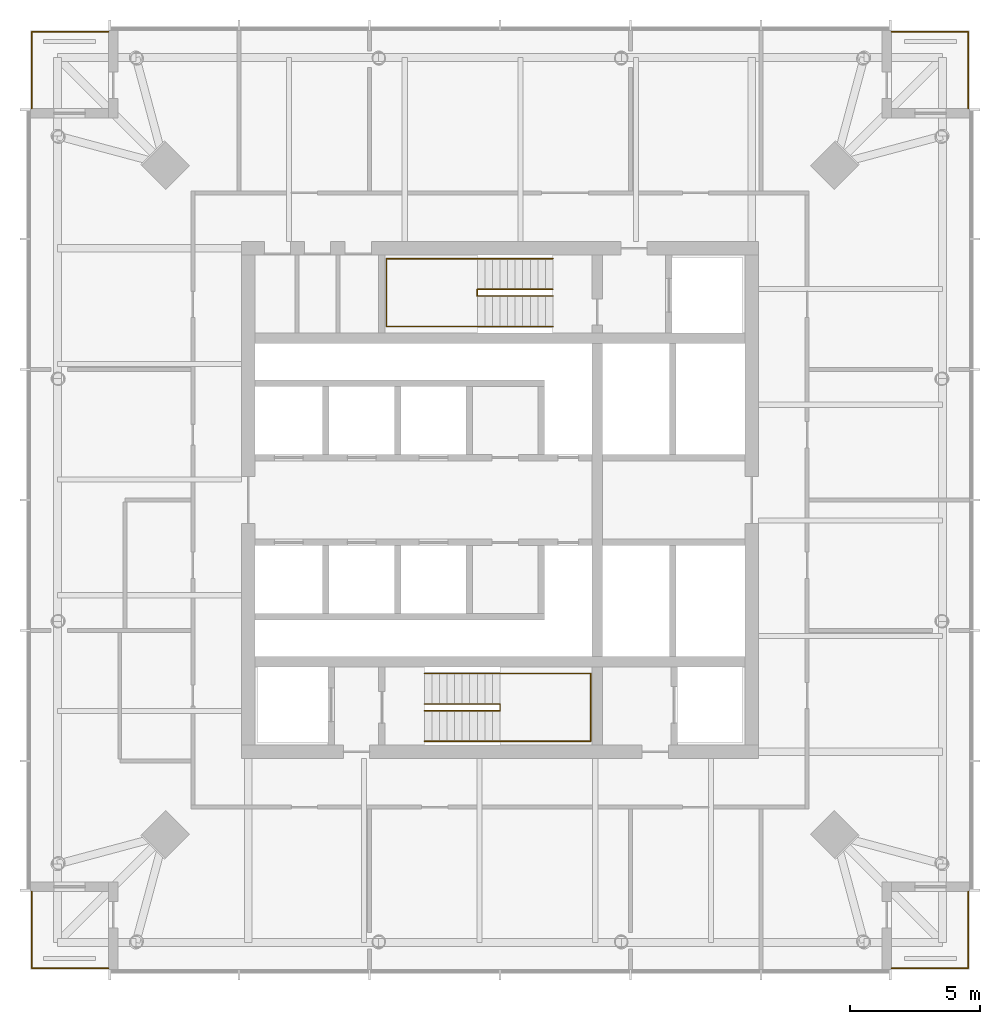
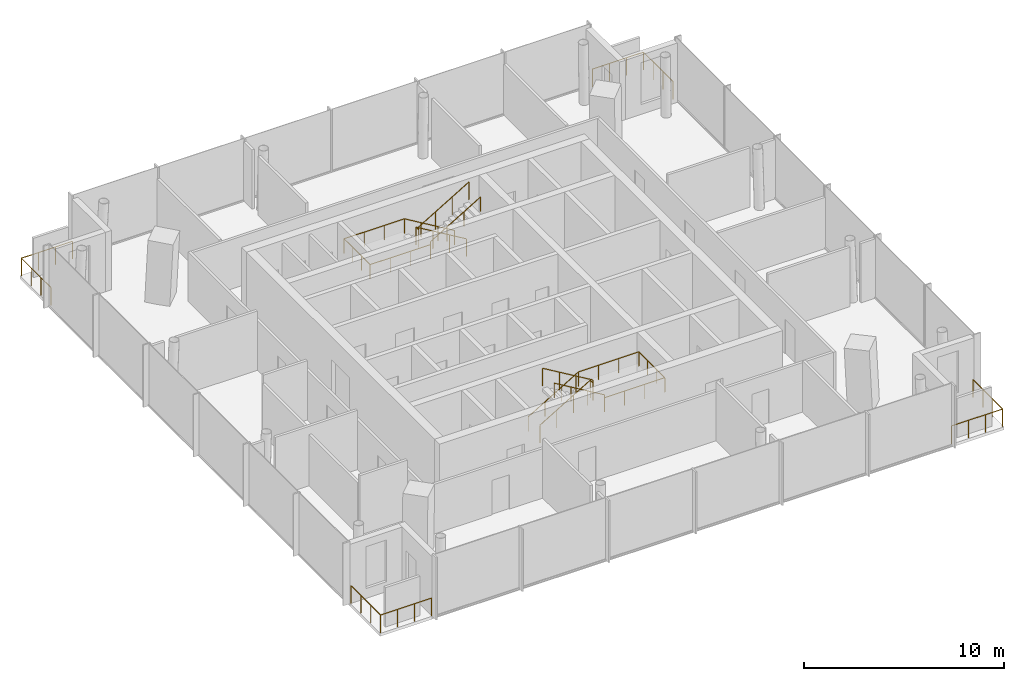
# One storey, part 7 of 7: 8 railings.
"""IFC4 building model written with IfcOpenShell, lengths in metres."""

from ifc_helpers import new_model, si_unit, direction, frame, origin, origin_2d, place, context, subcontext, project, spatial, circle, extrude, material, type_object, element, save


model = new_model("IFC4")

# Units and contexts
model_context = context("Model", 3, precision=1e-05, world=origin(), true_north=direction((0.0, 1.0)))
body_context = subcontext(model_context, "Body", "Model", "MODEL_VIEW")
ifc_project = project(units=[si_unit("LENGTHUNIT", "METRE"), si_unit("AREAUNIT", "SQUARE_METRE"), si_unit("VOLUMEUNIT", "CUBIC_METRE"), si_unit("PLANEANGLEUNIT", "RADIAN"), si_unit("MASSUNIT", "GRAM", prefix="KILO")], contexts=[model_context])

# Site, building, storey
site_placement = place(None, origin())
site = spatial("IfcSite", under=ifc_project, at=site_placement, CompositionType="ELEMENT")
building_placement = place(site_placement, origin())
building = spatial("IfcBuilding", under=site, at=building_placement, Name="Ostroluk Exchange", CompositionType="ELEMENT")
storey_placement = place(building_placement, frame((0.0, 0.0, 241.39990234375)))
storey = spatial("IfcBuildingStorey", under=building, at=storey_placement, Name="L62", CompositionType="ELEMENT", Elevation=241.39990234375)

# Railings
ifc_material_1 = material(Name="Stainless steel", Category="steel")
railing_type_1 = type_object("IfcRailingType", Name="Guard 1100 stainless steel", PredefinedType="GUARDRAIL", material=ifc_material_1)
railing_1_placement = place(storey_placement, frame((60.0, 28.050048828125, 0.0)))
element("IfcRailing", 1, at=railing_1_placement, inside=storey, type_object=railing_type_1, Name="Office tower SE balcony guard L62", PredefinedType="GUARDRAIL", context=body_context, shape_type="SweptSolid", body=[
    extrude(circle(Radius=0.02392578125, at=origin_2d()), frame((0.0, 0.0, 1.076171875), z_axis=(1.0, 0.0, 0.0), x_axis=(0.0, 1.0, 0.0)), (0.0, 0.0, 1.0), 2.949951171875),
    extrude(circle(Radius=0.02392578125, at=origin_2d()), frame((2.949951171875, 0.0, 1.076171875), z_axis=(0.0, 1.0, 0.0), x_axis=(-1.0, 0.0, 0.0)), (0.0, 0.0, 1.0), 2.949951171875),
    extrude(circle(Radius=0.02099609375, at=origin_2d()), origin(), (0.0, 0.0, 1.0), 1.052001953125),
    extrude(circle(Radius=0.02099609375, at=origin_2d()), frame((0.9833984375, 0.0, 0.0)), (0.0, 0.0, 1.0), 1.052001953125),
    extrude(circle(Radius=0.02099609375, at=origin_2d()), frame((1.966552734375, 0.0, 0.0)), (0.0, 0.0, 1.0), 1.052001953125),
    extrude(circle(Radius=0.02099609375, at=origin_2d()), frame((2.949951171875, 0.0, 0.0)), (0.0, 0.0, 1.0), 1.052001953125),
    extrude(circle(Radius=0.02099609375, at=origin_2d()), frame((2.949951171875, 0.9833984375, 0.0)), (0.0, 0.0, 1.0), 1.052001953125),
    extrude(circle(Radius=0.02099609375, at=origin_2d()), frame((2.949951171875, 1.966552734375, 0.0)), (0.0, 0.0, 1.0), 1.052001953125),
    extrude(circle(Radius=0.02099609375, at=origin_2d()), frame((2.949951171875, 2.949951171875, 0.0)), (0.0, 0.0, 1.0), 1.052001953125),
])
railing_2_placement = place(storey_placement, frame((60.0, 63.949951171875, 0.0)))
element("IfcRailing", 2, at=railing_2_placement, inside=storey, type_object=railing_type_1, Name="Office tower NE balcony guard L62", PredefinedType="GUARDRAIL", context=body_context, shape_type="SweptSolid", body=[
    extrude(circle(Radius=0.02392578125, at=origin_2d()), frame((0.0, 0.0, 1.076171875), z_axis=(1.0, 0.0, 0.0), x_axis=(0.0, 1.0, 0.0)), (0.0, 0.0, 1.0), 2.949951171875),
    extrude(circle(Radius=0.02392578125, at=origin_2d()), frame((2.949951171875, 0.0, 1.076171875), z_axis=(0.0, -1.0, 0.0), x_axis=(1.0, 0.0, 0.0)), (0.0, 0.0, 1.0), 2.949951171875),
    extrude(circle(Radius=0.02099609375, at=origin_2d()), origin(), (0.0, 0.0, 1.0), 1.052001953125),
    extrude(circle(Radius=0.02099609375, at=origin_2d()), frame((0.9833984375, 0.0, 0.0)), (0.0, 0.0, 1.0), 1.052001953125),
    extrude(circle(Radius=0.02099609375, at=origin_2d()), frame((1.966552734375, 0.0, 0.0)), (0.0, 0.0, 1.0), 1.052001953125),
    extrude(circle(Radius=0.02099609375, at=origin_2d()), frame((2.949951171875, 0.0, 0.0)), (0.0, 0.0, 1.0), 1.052001953125),
    extrude(circle(Radius=0.02099609375, at=origin_2d()), frame((2.949951171875, -0.9833984375, 0.0)), (0.0, 0.0, 1.0), 1.052001953125),
    extrude(circle(Radius=0.02099609375, at=origin_2d()), frame((2.949951171875, -1.966552734375, 0.0)), (0.0, 0.0, 1.0), 1.052001953125),
    extrude(circle(Radius=0.02099609375, at=origin_2d()), frame((2.949951171875, -2.949951171875, 0.0)), (0.0, 0.0, 1.0), 1.052001953125),
])
railing_3_placement = place(storey_placement, frame((30.0, 63.949951171875, 0.0)))
element("IfcRailing", 3, at=railing_3_placement, inside=storey, type_object=railing_type_1, Name="Office tower NW balcony guard L62", PredefinedType="GUARDRAIL", context=body_context, shape_type="SweptSolid", body=[
    extrude(circle(Radius=0.02392578125, at=origin_2d()), frame((0.0, 0.0, 1.076171875), z_axis=(-1.0, 0.0, 0.0), x_axis=(0.0, -1.0, 0.0)), (0.0, 0.0, 1.0), 2.949951171875),
    extrude(circle(Radius=0.02392578125, at=origin_2d()), frame((-2.949951171875, 0.0, 1.076171875), z_axis=(0.0, -1.0, 0.0), x_axis=(1.0, 0.0, 0.0)), (0.0, 0.0, 1.0), 2.949951171875),
    extrude(circle(Radius=0.02099609375, at=origin_2d()), origin(), (0.0, 0.0, 1.0), 1.052001953125),
    extrude(circle(Radius=0.02099609375, at=origin_2d()), frame((-0.9833984375, 0.0, 0.0)), (0.0, 0.0, 1.0), 1.052001953125),
    extrude(circle(Radius=0.02099609375, at=origin_2d()), frame((-1.966552734375, 0.0, 0.0)), (0.0, 0.0, 1.0), 1.052001953125),
    extrude(circle(Radius=0.02099609375, at=origin_2d()), frame((-2.949951171875, 0.0, 0.0)), (0.0, 0.0, 1.0), 1.052001953125),
    extrude(circle(Radius=0.02099609375, at=origin_2d()), frame((-2.949951171875, -0.9833984375, 0.0)), (0.0, 0.0, 1.0), 1.052001953125),
    extrude(circle(Radius=0.02099609375, at=origin_2d()), frame((-2.949951171875, -1.966552734375, 0.0)), (0.0, 0.0, 1.0), 1.052001953125),
    extrude(circle(Radius=0.02099609375, at=origin_2d()), frame((-2.949951171875, -2.949951171875, 0.0)), (0.0, 0.0, 1.0), 1.052001953125),
])
railing_4_placement = place(storey_placement, frame((30.0, 28.050048828125, 0.0)))
element("IfcRailing", 4, at=railing_4_placement, inside=storey, type_object=railing_type_1, Name="Office tower SW balcony guard L62", PredefinedType="GUARDRAIL", context=body_context, shape_type="SweptSolid", body=[
    extrude(circle(Radius=0.02392578125, at=origin_2d()), frame((0.0, 0.0, 1.076171875), z_axis=(-1.0, 0.0, 0.0), x_axis=(0.0, -1.0, 0.0)), (0.0, 0.0, 1.0), 2.949951171875),
    extrude(circle(Radius=0.02392578125, at=origin_2d()), frame((-2.949951171875, 0.0, 1.076171875), z_axis=(0.0, 1.0, 0.0), x_axis=(-1.0, 0.0, 0.0)), (0.0, 0.0, 1.0), 2.949951171875),
    extrude(circle(Radius=0.02099609375, at=origin_2d()), origin(), (0.0, 0.0, 1.0), 1.052001953125),
    extrude(circle(Radius=0.02099609375, at=origin_2d()), frame((-0.9833984375, 0.0, 0.0)), (0.0, 0.0, 1.0), 1.052001953125),
    extrude(circle(Radius=0.02099609375, at=origin_2d()), frame((-1.966552734375, 0.0, 0.0)), (0.0, 0.0, 1.0), 1.052001953125),
    extrude(circle(Radius=0.02099609375, at=origin_2d()), frame((-2.949951171875, 0.0, 0.0)), (0.0, 0.0, 1.0), 1.052001953125),
    extrude(circle(Radius=0.02099609375, at=origin_2d()), frame((-2.949951171875, 0.9833984375, 0.0)), (0.0, 0.0, 1.0), 1.052001953125),
    extrude(circle(Radius=0.02099609375, at=origin_2d()), frame((-2.949951171875, 1.966552734375, 0.0)), (0.0, 0.0, 1.0), 1.052001953125),
    extrude(circle(Radius=0.02099609375, at=origin_2d()), frame((-2.949951171875, 2.949951171875, 0.0)), (0.0, 0.0, 1.0), 1.052001953125),
])
ifc_material_2 = material(Name="Steel S355", Category="steel")
railing_type_2 = type_object("IfcRailingType", Name="Stair guard 1100", PredefinedType="GUARDRAIL", material=ifc_material_2)
railing_5_placement = place(storey_placement, frame((42.10009765625, 38.179931640625, 0.1728515625)))
element("IfcRailing", 5, at=railing_5_placement, inside=storey, type_object=railing_type_2, Name="Stair T1-S1 guard L62", PredefinedType="GUARDRAIL", context=body_context, shape_type="SweptSolid", body=[
    extrude(circle(Radius=0.02392578125, at=origin_2d()), frame((0.0, 0.0, 1.076171875), z_axis=(0.859141464434, 0.0, 0.511738159696), x_axis=(0.0, 1.0, 0.0)), (0.0, 0.0, 1.0), 3.375244140625),
    extrude(circle(Radius=0.02392578125, at=origin_2d()), frame((2.89990234375, 0.0, 2.80322265625), z_axis=(0.0, -1.0, 0.0), x_axis=(1.0, 0.0, 0.0)), (0.0, 0.0, 1.0), 0.260009765625),
    extrude(circle(Radius=0.02392578125, at=origin_2d()), frame((2.89990234375, -0.260009765625, 2.80322265625), z_axis=(0.0, 0.0, 1.0), x_axis=(1.0, 0.0, 0.0)), (0.0, 0.0, 1.0), 0.172607421875),
    extrude(circle(Radius=0.02392578125, at=origin_2d()), frame((2.89990234375, -0.260009765625, 2.97607421875), z_axis=(-0.859141464434, 0.0, 0.511738159696), x_axis=(0.0, -1.0, 0.0)), (0.0, 0.0, 1.0), 3.375244140625),
    extrude(circle(Radius=0.02099609375, at=origin_2d()), origin(), (0.0, 0.0, 1.0), 1.052001953125),
    extrude(circle(Radius=0.02099609375, at=origin_2d()), frame((0.966552734375, 0.0, 0.57568359375)), (0.0, 0.0, 1.0), 1.052001953125),
    extrude(circle(Radius=0.02099609375, at=origin_2d()), frame((1.933349609375, 0.0, 1.151611328125)), (0.0, 0.0, 1.0), 1.052001953125),
    extrude(circle(Radius=0.02099609375, at=origin_2d()), frame((2.89990234375, 0.0, 1.727294921875)), (0.0, 0.0, 1.0), 1.052001953125),
    extrude(circle(Radius=0.02099609375, at=origin_2d()), frame((2.89990234375, -0.260009765625, 1.727294921875)), (0.0, 0.0, 1.0), 1.052001953125),
    extrude(circle(Radius=0.02099609375, at=origin_2d()), frame((2.89990234375, -0.260009765625, 1.89990234375)), (0.0, 0.0, 1.0), 1.052001953125),
    extrude(circle(Radius=0.02099609375, at=origin_2d()), frame((1.933349609375, -0.260009765625, 2.4755859375)), (0.0, 0.0, 1.0), 1.052001953125),
    extrude(circle(Radius=0.02099609375, at=origin_2d()), frame((0.966552734375, -0.260009765625, 3.051513671875)), (0.0, 0.0, 1.0), 1.052001953125),
    extrude(circle(Radius=0.02099609375, at=origin_2d()), frame((0.0, -0.260009765625, 3.627197265625)), (0.0, 0.0, 1.0), 1.052001953125),
])
railing_6_placement = place(storey_placement, frame((47.030029296875, 54.080078125, 0.1728515625)))
element("IfcRailing", 6, at=railing_6_placement, inside=storey, type_object=railing_type_2, Name="Stair T1-S2 guard L62", PredefinedType="GUARDRAIL", context=body_context, shape_type="SweptSolid", body=[
    extrude(circle(Radius=0.02392578125, at=origin_2d()), frame((0.0, 0.0, 1.076171875), z_axis=(-0.859160404282, 0.0, 0.51170636083), x_axis=(0.0, -1.0, 0.0)), (0.0, 0.0, 1.0), 3.37548828125),
    extrude(circle(Radius=0.02392578125, at=origin_2d()), frame((-2.900146484375, 0.0, 2.80322265625), z_axis=(0.0, -1.0, 0.0), x_axis=(1.0, 0.0, 0.0)), (0.0, 0.0, 1.0), 0.260009765625),
    extrude(circle(Radius=0.02392578125, at=origin_2d()), frame((-2.900146484375, -0.260009765625, 2.80322265625), z_axis=(0.0, 0.0, 1.0), x_axis=(1.0, 0.0, 0.0)), (0.0, 0.0, 1.0), 0.172607421875),
    extrude(circle(Radius=0.02392578125, at=origin_2d()), frame((-2.900146484375, -0.260009765625, 2.97607421875), z_axis=(0.859160404282, 0.0, 0.51170636083), x_axis=(0.0, 1.0, 0.0)), (0.0, 0.0, 1.0), 3.37548828125),
    extrude(circle(Radius=0.02099609375, at=origin_2d()), origin(), (0.0, 0.0, 1.0), 1.052001953125),
    extrude(circle(Radius=0.02099609375, at=origin_2d()), frame((-0.966796875, 0.0, 0.57568359375)), (0.0, 0.0, 1.0), 1.052001953125),
    extrude(circle(Radius=0.02099609375, at=origin_2d()), frame((-1.933349609375, 0.0, 1.151611328125)), (0.0, 0.0, 1.0), 1.052001953125),
    extrude(circle(Radius=0.02099609375, at=origin_2d()), frame((-2.900146484375, 0.0, 1.727294921875)), (0.0, 0.0, 1.0), 1.052001953125),
    extrude(circle(Radius=0.02099609375, at=origin_2d()), frame((-2.900146484375, -0.260009765625, 1.727294921875)), (0.0, 0.0, 1.0), 1.052001953125),
    extrude(circle(Radius=0.02099609375, at=origin_2d()), frame((-2.900146484375, -0.260009765625, 1.89990234375)), (0.0, 0.0, 1.0), 1.052001953125),
    extrude(circle(Radius=0.02099609375, at=origin_2d()), frame((-1.933349609375, -0.260009765625, 2.4755859375)), (0.0, 0.0, 1.0), 1.052001953125),
    extrude(circle(Radius=0.02099609375, at=origin_2d()), frame((-0.966796875, -0.260009765625, 3.051513671875)), (0.0, 0.0, 1.0), 1.052001953125),
    extrude(circle(Radius=0.02099609375, at=origin_2d()), frame((0.0, -0.260009765625, 3.627197265625)), (0.0, 0.0, 1.0), 1.052001953125),
])
ifc_material_3 = material(Name="Stainless steel", Category="steel")
railing_type_3 = type_object("IfcRailingType", Name="Stair handrail 900", PredefinedType="HANDRAIL", material=ifc_material_3)
railing_7_placement = place(storey_placement, frame((42.10009765625, 39.35009765625, 0.1728515625)))
element("IfcRailing", 7, at=railing_7_placement, inside=storey, type_object=railing_type_3, Name="Stair T1-S1 handrail L62", PredefinedType="HANDRAIL", context=body_context, shape_type="SweptSolid", body=[
    extrude(circle(Radius=0.02392578125, at=origin_2d()), frame((0.0, 0.0, 0.8759765625), z_axis=(0.859141464434, 0.0, 0.511738159696), x_axis=(0.0, 1.0, 0.0)), (0.0, 0.0, 1.0), 3.375244140625),
    extrude(circle(Radius=0.02392578125, at=origin_2d()), frame((2.89990234375, 0.0, 2.60302734375), z_axis=(1.0, 0.0, 0.0), x_axis=(0.0, 1.0, 0.0)), (0.0, 0.0, 1.0), 3.47998046875),
    extrude(circle(Radius=0.02392578125, at=origin_2d()), frame((6.3798828125, 0.0, 2.60302734375), z_axis=(0.0, -1.0, 0.0), x_axis=(1.0, 0.0, 0.0)), (0.0, 0.0, 1.0), 2.60009765625),
    extrude(circle(Radius=0.02392578125, at=origin_2d()), frame((6.3798828125, -2.60009765625, 2.60302734375), z_axis=(-1.0, 0.0, 0.0), x_axis=(0.0, -1.0, 0.0)), (0.0, 0.0, 1.0), 3.47998046875),
    extrude(circle(Radius=0.02392578125, at=origin_2d()), frame((2.89990234375, -2.60009765625, 2.60302734375), z_axis=(0.0, 0.0, 1.0), x_axis=(1.0, 0.0, 0.0)), (0.0, 0.0, 1.0), 0.172607421875),
    extrude(circle(Radius=0.02392578125, at=origin_2d()), frame((2.89990234375, -2.60009765625, 2.77587890625), z_axis=(-0.859141464434, 0.0, 0.511738159696), x_axis=(0.0, -1.0, 0.0)), (0.0, 0.0, 1.0), 3.375244140625),
    extrude(circle(Radius=0.02099609375, at=origin_2d()), origin(), (0.0, 0.0, 1.0), 0.851806640625),
    extrude(circle(Radius=0.02099609375, at=origin_2d()), frame((0.966552734375, 0.0, 0.57568359375)), (0.0, 0.0, 1.0), 0.851806640625),
    extrude(circle(Radius=0.02099609375, at=origin_2d()), frame((1.933349609375, 0.0, 1.151611328125)), (0.0, 0.0, 1.0), 0.851806640625),
    extrude(circle(Radius=0.02099609375, at=origin_2d()), frame((2.89990234375, 0.0, 1.727294921875)), (0.0, 0.0, 1.0), 0.851806640625),
    extrude(circle(Radius=0.02099609375, at=origin_2d()), frame((4.059814453125, 0.0, 1.727294921875)), (0.0, 0.0, 1.0), 0.851806640625),
    extrude(circle(Radius=0.02099609375, at=origin_2d()), frame((5.219970703125, 0.0, 1.727294921875)), (0.0, 0.0, 1.0), 0.851806640625),
    extrude(circle(Radius=0.02099609375, at=origin_2d()), frame((6.3798828125, 0.0, 1.727294921875)), (0.0, 0.0, 1.0), 0.851806640625),
    extrude(circle(Radius=0.02099609375, at=origin_2d()), frame((6.3798828125, -0.86669921875, 1.727294921875)), (0.0, 0.0, 1.0), 0.851806640625),
    extrude(circle(Radius=0.02099609375, at=origin_2d()), frame((6.3798828125, -1.7333984375, 1.727294921875)), (0.0, 0.0, 1.0), 0.851806640625),
    extrude(circle(Radius=0.02099609375, at=origin_2d()), frame((6.3798828125, -2.60009765625, 1.727294921875)), (0.0, 0.0, 1.0), 0.851806640625),
    extrude(circle(Radius=0.02099609375, at=origin_2d()), frame((5.219970703125, -2.60009765625, 1.727294921875)), (0.0, 0.0, 1.0), 0.851806640625),
    extrude(circle(Radius=0.02099609375, at=origin_2d()), frame((4.059814453125, -2.60009765625, 1.727294921875)), (0.0, 0.0, 1.0), 0.851806640625),
    extrude(circle(Radius=0.02099609375, at=origin_2d()), frame((2.89990234375, -2.60009765625, 1.727294921875)), (0.0, 0.0, 1.0), 0.851806640625),
    extrude(circle(Radius=0.02099609375, at=origin_2d()), frame((2.89990234375, -2.60009765625, 1.89990234375)), (0.0, 0.0, 1.0), 0.851806640625),
    extrude(circle(Radius=0.02099609375, at=origin_2d()), frame((1.933349609375, -2.60009765625, 2.4755859375)), (0.0, 0.0, 1.0), 0.851806640625),
    extrude(circle(Radius=0.02099609375, at=origin_2d()), frame((0.966552734375, -2.60009765625, 3.051513671875)), (0.0, 0.0, 1.0), 0.851806640625),
    extrude(circle(Radius=0.02099609375, at=origin_2d()), frame((0.0, -2.60009765625, 3.627197265625)), (0.0, 0.0, 1.0), 0.851806640625),
])
railing_8_placement = place(storey_placement, frame((47.030029296875, 55.25, 0.1728515625)))
element("IfcRailing", 8, at=railing_8_placement, inside=storey, type_object=railing_type_3, Name="Stair T1-S2 handrail L62", PredefinedType="HANDRAIL", context=body_context, shape_type="SweptSolid", body=[
    extrude(circle(Radius=0.02392578125, at=origin_2d()), frame((0.0, 0.0, 0.8759765625), z_axis=(-0.859160404282, 0.0, 0.51170636083), x_axis=(0.0, -1.0, 0.0)), (0.0, 0.0, 1.0), 3.37548828125),
    extrude(circle(Radius=0.02392578125, at=origin_2d()), frame((-2.900146484375, 0.0, 2.60302734375), z_axis=(-1.0, 0.0, 0.0), x_axis=(0.0, -1.0, 0.0)), (0.0, 0.0, 1.0), 3.47998046875),
    extrude(circle(Radius=0.02392578125, at=origin_2d()), frame((-6.380126953125, 0.0, 2.60302734375), z_axis=(0.0, -1.0, 0.0), x_axis=(1.0, 0.0, 0.0)), (0.0, 0.0, 1.0), 2.60009765625),
    extrude(circle(Radius=0.02392578125, at=origin_2d()), frame((-6.380126953125, -2.60009765625, 2.60302734375), z_axis=(1.0, 0.0, 0.0), x_axis=(0.0, 1.0, 0.0)), (0.0, 0.0, 1.0), 3.47998046875),
    extrude(circle(Radius=0.02392578125, at=origin_2d()), frame((-2.900146484375, -2.60009765625, 2.60302734375), z_axis=(0.0, 0.0, 1.0), x_axis=(1.0, 0.0, 0.0)), (0.0, 0.0, 1.0), 0.172607421875),
    extrude(circle(Radius=0.02392578125, at=origin_2d()), frame((-2.900146484375, -2.60009765625, 2.77587890625), z_axis=(0.859160404282, 0.0, 0.51170636083), x_axis=(0.0, 1.0, 0.0)), (0.0, 0.0, 1.0), 3.37548828125),
    extrude(circle(Radius=0.02099609375, at=origin_2d()), origin(), (0.0, 0.0, 1.0), 0.851806640625),
    extrude(circle(Radius=0.02099609375, at=origin_2d()), frame((-0.966796875, 0.0, 0.57568359375)), (0.0, 0.0, 1.0), 0.851806640625),
    extrude(circle(Radius=0.02099609375, at=origin_2d()), frame((-1.933349609375, 0.0, 1.151611328125)), (0.0, 0.0, 1.0), 0.851806640625),
    extrude(circle(Radius=0.02099609375, at=origin_2d()), frame((-2.900146484375, 0.0, 1.727294921875)), (0.0, 0.0, 1.0), 0.851806640625),
    extrude(circle(Radius=0.02099609375, at=origin_2d()), frame((-4.06005859375, 0.0, 1.727294921875)), (0.0, 0.0, 1.0), 0.851806640625),
    extrude(circle(Radius=0.02099609375, at=origin_2d()), frame((-5.22021484375, 0.0, 1.727294921875)), (0.0, 0.0, 1.0), 0.851806640625),
    extrude(circle(Radius=0.02099609375, at=origin_2d()), frame((-6.380126953125, 0.0, 1.727294921875)), (0.0, 0.0, 1.0), 0.851806640625),
    extrude(circle(Radius=0.02099609375, at=origin_2d()), frame((-6.380126953125, -0.86669921875, 1.727294921875)), (0.0, 0.0, 1.0), 0.851806640625),
    extrude(circle(Radius=0.02099609375, at=origin_2d()), frame((-6.380126953125, -1.7333984375, 1.727294921875)), (0.0, 0.0, 1.0), 0.851806640625),
    extrude(circle(Radius=0.02099609375, at=origin_2d()), frame((-6.380126953125, -2.60009765625, 1.727294921875)), (0.0, 0.0, 1.0), 0.851806640625),
    extrude(circle(Radius=0.02099609375, at=origin_2d()), frame((-5.22021484375, -2.60009765625, 1.727294921875)), (0.0, 0.0, 1.0), 0.851806640625),
    extrude(circle(Radius=0.02099609375, at=origin_2d()), frame((-4.06005859375, -2.60009765625, 1.727294921875)), (0.0, 0.0, 1.0), 0.851806640625),
    extrude(circle(Radius=0.02099609375, at=origin_2d()), frame((-2.900146484375, -2.60009765625, 1.727294921875)), (0.0, 0.0, 1.0), 0.851806640625),
    extrude(circle(Radius=0.02099609375, at=origin_2d()), frame((-2.900146484375, -2.60009765625, 1.89990234375)), (0.0, 0.0, 1.0), 0.851806640625),
    extrude(circle(Radius=0.02099609375, at=origin_2d()), frame((-1.933349609375, -2.60009765625, 2.4755859375)), (0.0, 0.0, 1.0), 0.851806640625),
    extrude(circle(Radius=0.02099609375, at=origin_2d()), frame((-0.966796875, -2.60009765625, 3.051513671875)), (0.0, 0.0, 1.0), 0.851806640625),
    extrude(circle(Radius=0.02099609375, at=origin_2d()), frame((0.0, -2.60009765625, 3.627197265625)), (0.0, 0.0, 1.0), 0.851806640625),
])

save(model, "model.ifc")
